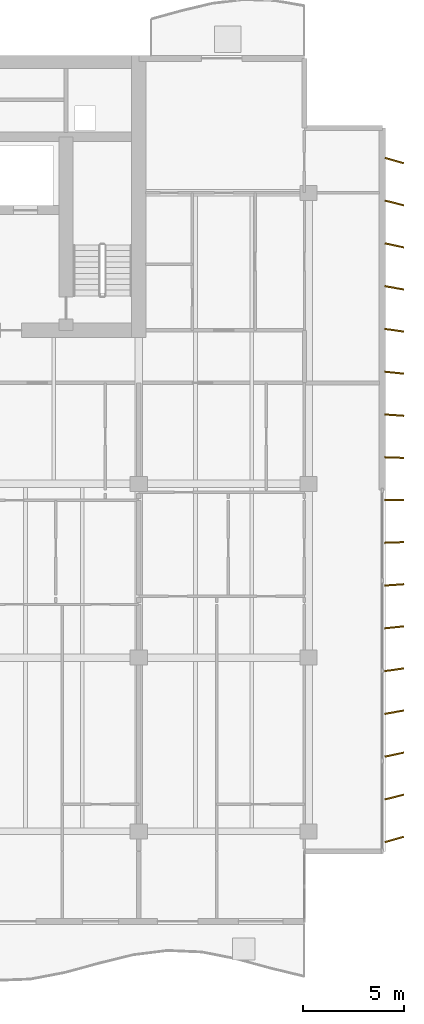
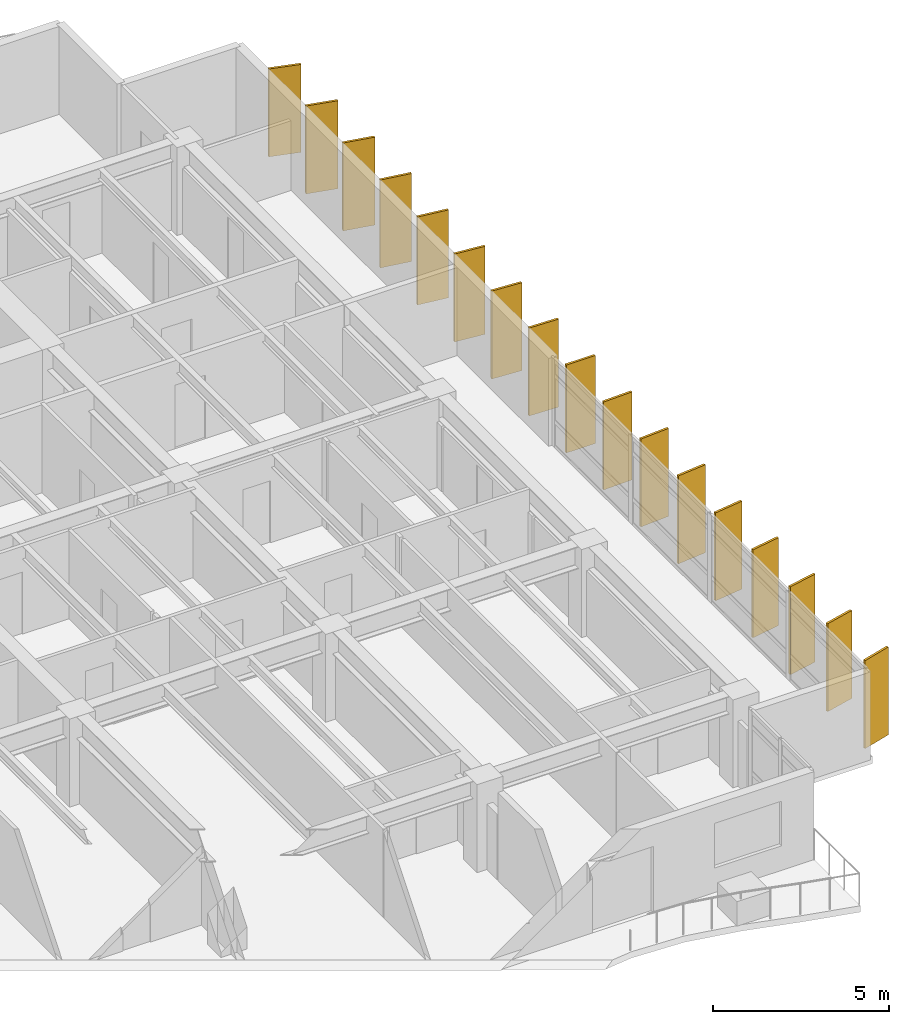
# One storey, part 19 of 19: 17 shading devices.
"""IFC4 building model written with IfcOpenShell, lengths in metres."""

from ifc_helpers import new_model, si_unit, direction, frame, origin, origin_2d, place, context, subcontext, project, spatial, rectangle, extrude, material, material_profile, profile_set, type_object, element, save


model = new_model("IFC4")

# Units and contexts
model_context = context("Model", 3, precision=1e-05, world=origin(), true_north=direction((0.0, 1.0)))
body_context = subcontext(model_context, "Body", "Model", "MODEL_VIEW")
ifc_project = project(units=[si_unit("LENGTHUNIT", "METRE"), si_unit("AREAUNIT", "SQUARE_METRE"), si_unit("VOLUMEUNIT", "CUBIC_METRE"), si_unit("PLANEANGLEUNIT", "RADIAN"), si_unit("MASSUNIT", "GRAM", prefix="KILO")], contexts=[model_context])

# Site, building, storey
site_placement = place(None, origin())
site = spatial("IfcSite", under=ifc_project, at=site_placement, CompositionType="ELEMENT")
building_placement = place(site_placement, origin())
building = spatial("IfcBuilding", under=site, at=building_placement, Name="Caelmar Bay Residences", CompositionType="ELEMENT")
storey_placement = place(building_placement, frame((0.0, 0.0, 214.800048828125)))
storey = spatial("IfcBuildingStorey", under=building, at=storey_placement, Name="L60", CompositionType="ELEMENT", Elevation=214.800048828125)

# Shading devices
ifc_material = material(Name="Anodised architectural bronze aluminium 6063-T6", Category="aluminium")
ifc_material_profile = material_profile(ifc_material, rectangle(XDim=0.074951171875, YDim=0.949951171875, at=origin_2d()), Name="BRONZE-FIN-75X950")
ifc_profile_set = profile_set([ifc_material_profile], Name="Anodised architectural bronze aluminium 6063-T6")
shading_device_type = type_object("IfcShadingDeviceType", Name="SHD-FIN-950", PredefinedType="USERDEFINED", material=ifc_profile_set)
for number, where, z_axis, x_axis, name in (
    (1, (72.14990234375, 11.800048828125, 0.0), (0.0, 0.0, 1.0), (-0.275637355817, 0.961261695938, 0.0), "L60 East Bronze Solar Fin 1"),
    (2, (72.14990234375, 13.89990234375, 0.0), (0.0, 0.0, 1.0), (-0.2419218956, 0.970295726276, 0.0), "L60 East Bronze Solar Fin 2"),
    (3, (72.14990234375, 16.0, 0.0), (0.0, 0.0, 1.0), (-0.207911690818, 0.978147600734, 0.0), "L60 East Bronze Solar Fin 3"),
    (4, (72.14990234375, 18.10009765625, 0.0), (0.0, 0.0, 1.0), (-0.173648177667, 0.984807753012, 0.0), "L60 East Bronze Solar Fin 4"),
    (5, (72.14990234375, 20.199951171875, 0.0), (0.0, 0.0, 1.0), (-0.13917310096, 0.990268068742, 0.0), "L60 East Bronze Solar Fin 5"),
    (6, (72.14990234375, 22.300048828125, 0.0), (0.0, 0.0, 1.0), (-0.104528463268, 0.994521895368, 0.0), "L60 East Bronze Solar Fin 6"),
    (7, (72.14990234375, 24.39990234375, 0.0), (0.0, 0.0, 1.0), (-0.069756473744, 0.99756405026, 0.0), "L60 East Bronze Solar Fin 7"),
    (8, (72.14990234375, 26.5, 0.0), (0.0, 0.0, 1.0), (-0.034899496703, 0.999390827019, 0.0), "L60 East Bronze Solar Fin 8"),
    (9, (72.14990234375, 28.60009765625, 0.0), (0.0, 0.0, 1.0), (0.0, 1.0, 0.0), "L60 East Bronze Solar Fin 9"),
    (10, (72.14990234375, 30.699951171875, 0.0), (0.0, 0.0, 1.0), (0.034899496703, 0.999390827019, 0.0), "L60 East Bronze Solar Fin 10"),
    (11, (72.14990234375, 32.800048828125, 0.0), (0.0, 0.0, 1.0), (0.069756473744, 0.99756405026, 0.0), "L60 East Bronze Solar Fin 11"),
    (12, (72.14990234375, 34.89990234375, 0.0), (0.0, 0.0, 1.0), (0.104528463268, 0.994521895368, 0.0), "L60 East Bronze Solar Fin 12"),
    (13, (72.14990234375, 37.0, 0.0), (0.0, 0.0, 1.0), (0.13917310096, 0.990268068742, 0.0), "L60 East Bronze Solar Fin 13"),
    (14, (72.14990234375, 39.10009765625, 0.0), (0.0, 0.0, 1.0), (0.173648177667, 0.984807753012, 0.0), "L60 East Bronze Solar Fin 14"),
    (15, (72.14990234375, 41.199951171875, 0.0), (0.0, 0.0, 1.0), (0.207911690818, 0.978147600734, 0.0), "L60 East Bronze Solar Fin 15"),
    (16, (72.14990234375, 43.300048828125, 0.0), (0.0, 0.0, 1.0), (0.2419218956, 0.970295726276, 0.0), "L60 East Bronze Solar Fin 16"),
    (17, (72.14990234375, 45.39990234375, 0.0), (0.0, 0.0, 1.0), (0.275637355817, 0.961261695938, 0.0), "L60 East Bronze Solar Fin 17"),
):
    element("IfcShadingDevice", number, at=place(storey_placement, frame(where, z_axis=z_axis, x_axis=x_axis)), inside=storey, type_object=shading_device_type, Name=name, ObjectType="FIN", PredefinedType="USERDEFINED", context=body_context, shape_type="SweptSolid", body=[
        extrude(rectangle(XDim=0.074951171875, YDim=0.949951171875, at=origin_2d()), origin(), (0.0, 0.0, 1.0), 3.050048828125),
    ])

save(model, "model.ifc")
